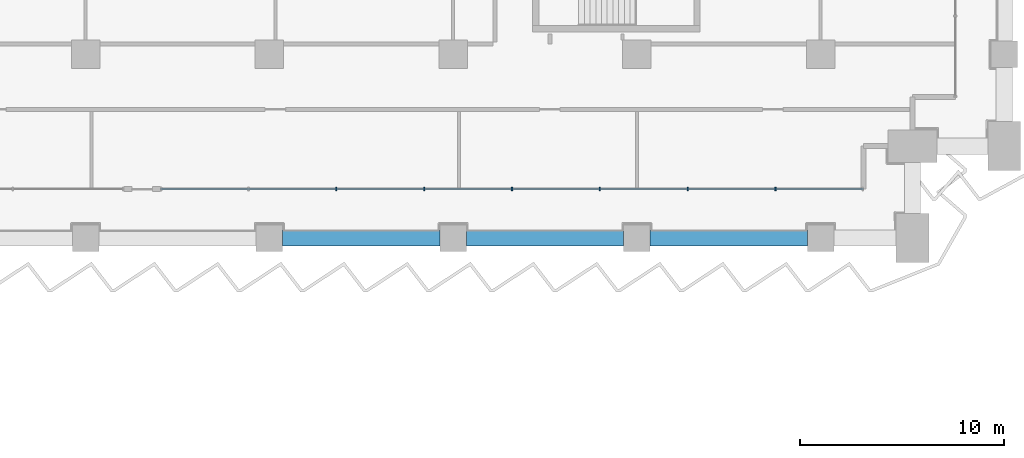
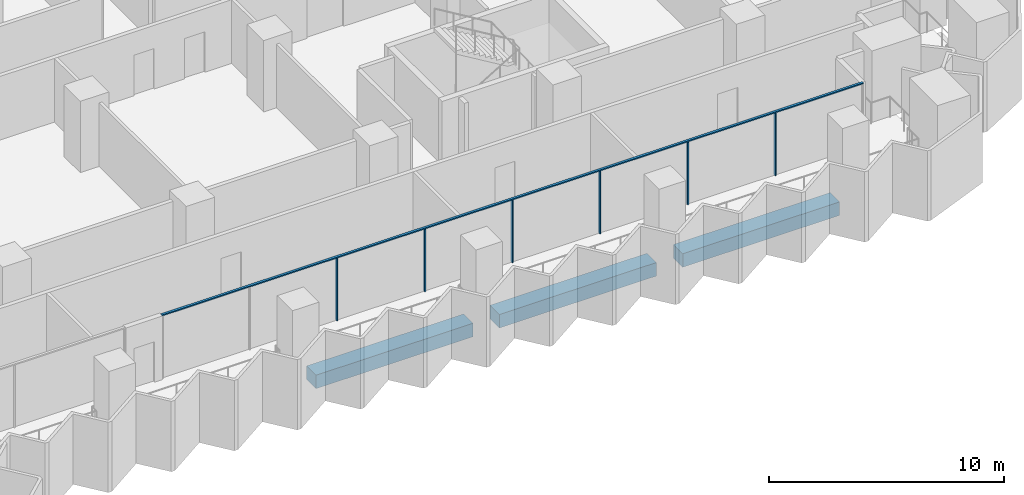
# One storey, part 5 of 29: 7 members, 3 beams, 1 element without a shape of its own.
"""IFC4 building model written with IfcOpenShell, lengths in metres."""

from ifc_helpers import new_model, si_unit, direction, frame, origin, origin_2d, place, context, subcontext, project, spatial, rectangle, extrude, material, material_profile, profile_set, type_object, element, aggregate, save


model = new_model("IFC4")

# Units and contexts
model_context = context("Model", 3, precision=1e-05, world=origin(), true_north=direction((0.0, 1.0)))
body_context = subcontext(model_context, "Body", "Model", "MODEL_VIEW")
ifc_project = project(units=[si_unit("LENGTHUNIT", "METRE"), si_unit("AREAUNIT", "SQUARE_METRE"), si_unit("VOLUMEUNIT", "CUBIC_METRE"), si_unit("PLANEANGLEUNIT", "RADIAN"), si_unit("MASSUNIT", "GRAM", prefix="KILO")], contexts=[model_context])

# Site, building, storey
site_placement = place(None, origin())
site = spatial("IfcSite", under=ifc_project, at=site_placement, CompositionType="ELEMENT")
building_placement = place(site_placement, origin())
building = spatial("IfcBuilding", under=site, at=building_placement, Name="Hunhe Ridgeline Campus", CompositionType="ELEMENT")
storey_placement = place(building_placement, frame((0.0, 0.0, 65.39990234375)))
storey = spatial("IfcBuildingStorey", under=building, at=storey_placement, Name="L15", CompositionType="ELEMENT", Elevation=65.39990234375)

# Curtain wall, members
ifc_material_1 = material(Name="Aluminium 6063", Category="aluminium")
curtain_wall_type = type_object("IfcCurtainWallType", Name="Curtain wall CW-1", PredefinedType="NOTDEFINED", material=ifc_material_1)
curtain_wall_placement = place(storey_placement, origin())
curtain_wall = element("IfcCurtainWall", 1, at=curtain_wall_placement, inside=storey, type_object=curtain_wall_type, Name="Curtain wall 13", PredefinedType="NOTDEFINED")
ifc_material_profile_1 = material_profile(ifc_material_1, rectangle(XDim=0.159912109375, YDim=0.06005859375, at=origin_2d()))
ifc_profile_set_1 = profile_set([ifc_material_profile_1], Name="Aluminium 6063")
member_type_1 = type_object("IfcMemberType", Name="CW-1 aluminium mullion", PredefinedType="MULLION", material=ifc_profile_set_1)
member_1_placement = place(storey_placement, frame((66.280517578125, 56.40087890625, 0.0), z_axis=(0.0, 0.0, 1.0), x_axis=(-3.602063e-06, 0.999999999994, 0.0)))
member_1 = element("IfcMember", 2, at=member_1_placement, type_object=member_type_1, Name="CW-1 mullion 3", PredefinedType="MULLION", context=body_context, shape_type="SweptSolid", body=[
    extrude(rectangle(XDim=0.159912109375, YDim=0.06005859375, at=origin_2d()), origin(), (0.0, 0.0, 1.0), 3.239990234375),
])
member_2_placement = place(storey_placement, frame((70.58349609375, 56.40087890625, 0.0), z_axis=(0.0, 0.0, 1.0), x_axis=(-3.602063e-06, 0.999999999994, 0.0)))
member_2 = element("IfcMember", 3, at=member_2_placement, type_object=member_type_1, Name="CW-1 mullion 4", PredefinedType="MULLION", context=body_context, shape_type="SweptSolid", body=[
    extrude(rectangle(XDim=0.159912109375, YDim=0.06005859375, at=origin_2d()), origin(), (0.0, 0.0, 1.0), 3.239990234375),
])
member_3_placement = place(storey_placement, frame((74.88671875, 56.40087890625, 0.0), z_axis=(0.0, 0.0, 1.0), x_axis=(-3.602063e-06, 0.999999999994, 0.0)))
member_3 = element("IfcMember", 4, at=member_3_placement, type_object=member_type_1, Name="CW-1 mullion 5", PredefinedType="MULLION", context=body_context, shape_type="SweptSolid", body=[
    extrude(rectangle(XDim=0.159912109375, YDim=0.06005859375, at=origin_2d()), origin(), (0.0, 0.0, 1.0), 3.239990234375),
])
member_4_placement = place(storey_placement, frame((79.189697265625, 56.40087890625, 0.0), z_axis=(0.0, 0.0, 1.0), x_axis=(-3.602063e-06, 0.999999999994, 0.0)))
member_4 = element("IfcMember", 5, at=member_4_placement, type_object=member_type_1, Name="CW-1 mullion 6", PredefinedType="MULLION", context=body_context, shape_type="SweptSolid", body=[
    extrude(rectangle(XDim=0.159912109375, YDim=0.06005859375, at=origin_2d()), origin(), (0.0, 0.0, 1.0), 3.239990234375),
])
member_5_placement = place(storey_placement, frame((83.492919921875, 56.40087890625, 0.0), z_axis=(0.0, 0.0, 1.0), x_axis=(-3.602063e-06, 0.999999999994, 0.0)))
member_5 = element("IfcMember", 6, at=member_5_placement, type_object=member_type_1, Name="CW-1 mullion 7", PredefinedType="MULLION", context=body_context, shape_type="SweptSolid", body=[
    extrude(rectangle(XDim=0.159912109375, YDim=0.06005859375, at=origin_2d()), origin(), (0.0, 0.0, 1.0), 3.239990234375),
])
member_6_placement = place(storey_placement, frame((87.7958984375, 56.40087890625, 0.0), z_axis=(0.0, 0.0, 1.0), x_axis=(-3.602063e-06, 0.999999999994, 0.0)))
member_6 = element("IfcMember", 7, at=member_6_placement, type_object=member_type_1, Name="CW-1 mullion 8", PredefinedType="MULLION", context=body_context, shape_type="SweptSolid", body=[
    extrude(rectangle(XDim=0.159912109375, YDim=0.06005859375, at=origin_2d()), origin(), (0.0, 0.0, 1.0), 3.239990234375),
])
ifc_material_profile_2 = material_profile(ifc_material_1, rectangle(XDim=0.1201171875, YDim=0.06005859375, at=origin_2d()))
ifc_profile_set_2 = profile_set([ifc_material_profile_2], Name="Aluminium 6063")
member_type_2 = type_object("IfcMemberType", Name="CW-1 aluminium transom", PredefinedType="USERDEFINED", material=ifc_profile_set_2)
member_7_placement = place(storey_placement, frame((57.67431640625, 56.40087890625, 3.27001953125), z_axis=(1.0, 0.0, 0.0), x_axis=(0.0, 1.0, 0.0)))
member_7 = element("IfcMember", 8, at=member_7_placement, type_object=member_type_2, Name="CW-1 transom 1", ObjectType="TRANSOM", PredefinedType="USERDEFINED", context=body_context, shape_type="SweptSolid", body=[
    extrude(rectangle(XDim=0.1201171875, YDim=0.06005859375, at=origin_2d()), origin(), (0.0, 0.0, 1.0), 34.4248046875),
])
aggregate(curtain_wall, [member_7, member_1, member_2, member_3, member_4, member_5, member_6])

# Beams
ifc_material_2 = material(Name="Concrete C60", Category="concrete")
ifc_material_profile_3 = material_profile(ifc_material_2, rectangle(XDim=0.800048828125, YDim=0.699951171875, at=origin_2d()))
ifc_profile_set_3 = profile_set([ifc_material_profile_3], Name="Concrete C60")
beam_type = type_object("IfcBeamType", Name="RC spandrel beam 800x700 Concrete C60", PredefinedType="SPANDREL", material=ifc_profile_set_3)
for number, where, z_axis, x_axis, name in (
    (9, (63.64990234375, 54.0, -0.599853515625), (1.0, 0.0, 0.0), (0.0, 1.0, 0.0), "Spandrel beam B1-14 L15"),
    (10, (72.64990234375, 54.0, -0.599853515625), (1.0, 0.0, 0.0), (0.0, 1.0, 0.0), "Spandrel beam B1-15 L15"),
    (11, (81.64990234375, 54.0, -0.599853515625), (1.0, 0.0, 0.0), (0.0, 1.0, 0.0), "Spandrel beam B1-16 L15"),
):
    element("IfcBeam", number, at=place(storey_placement, frame(where, z_axis=z_axis, x_axis=x_axis)), inside=storey, type_object=beam_type, Name=name, PredefinedType="SPANDREL", context=body_context, shape_type="SweptSolid", body=[
        extrude(rectangle(XDim=0.800048828125, YDim=0.699951171875, at=origin_2d()), origin(), (0.0, 0.0, 1.0), 7.7001953125),
    ])

save(model, "model.ifc")
